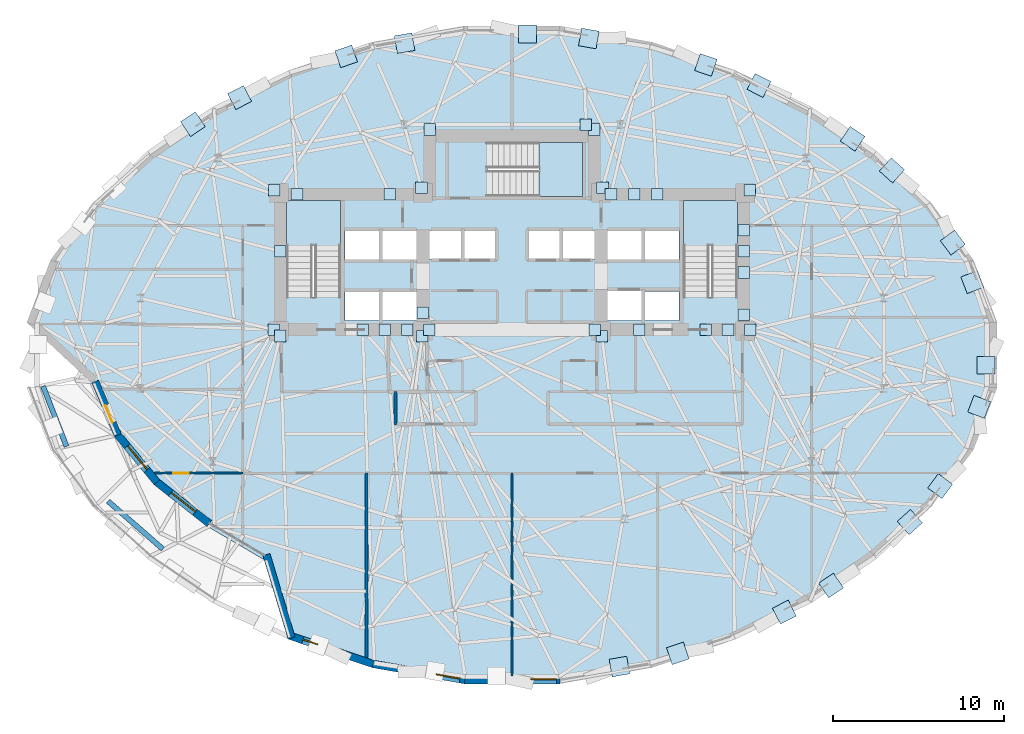
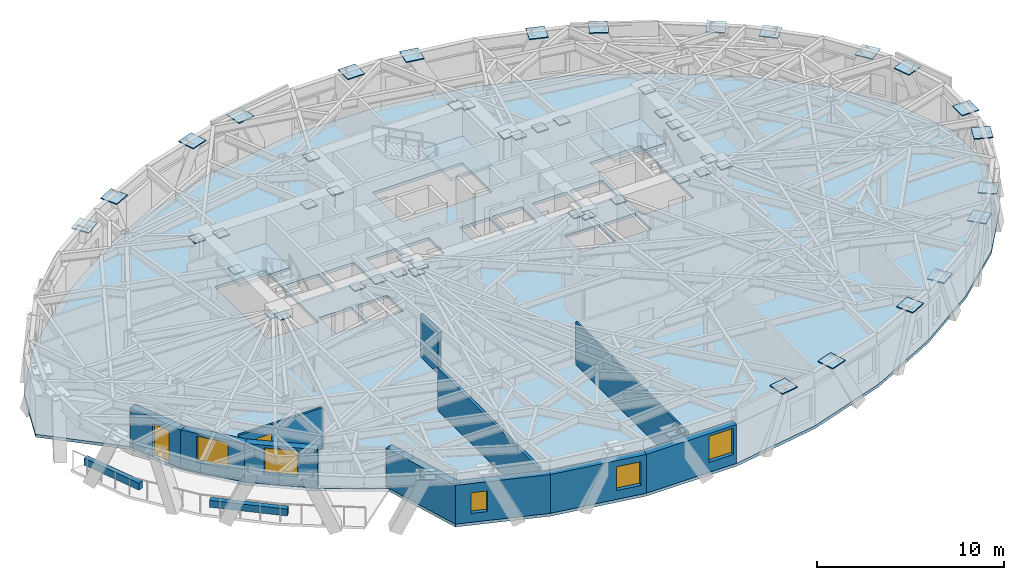
# One storey, part 8 of 17: 51 plates, 13 walls, 5 windows, 4 slabs, 2 doors, 7 openings, 3 elements without a shape of their own.
"""IFC4 building model written with IfcOpenShell, lengths in metres."""

from ifc_helpers import new_model, si_unit, direction, frame, frame_2d, origin, origin_2d, place, context, subcontext, project, spatial, polyline, rectangle, outline, extrude, material, layer, layer_set, type_object, element, fill, aggregate, save


model = new_model("IFC4")

# Units and contexts
model_context = context("Model", 3, precision=1e-05, world=origin(), true_north=direction((0.0, 1.0)))
body_context = subcontext(model_context, "Body", "Model", "MODEL_VIEW")
ifc_project = project(units=[si_unit("LENGTHUNIT", "METRE"), si_unit("AREAUNIT", "SQUARE_METRE"), si_unit("VOLUMEUNIT", "CUBIC_METRE"), si_unit("PLANEANGLEUNIT", "RADIAN"), si_unit("MASSUNIT", "GRAM", prefix="KILO")], contexts=[model_context])

# Site, building, storey
site_placement = place(None, origin())
site = spatial("IfcSite", under=ifc_project, at=site_placement, CompositionType="ELEMENT")
building_placement = place(site_placement, origin())
building = spatial("IfcBuilding", under=site, at=building_placement, Name="Keldmark Tower", CompositionType="ELEMENT")
storey_placement = place(building_placement, frame((0.0, 0.0, 96.60009765625)))
storey = spatial("IfcBuildingStorey", under=building, at=storey_placement, Name="L25", CompositionType="ELEMENT", Elevation=96.60009765625)

# Plates
ifc_material_1 = material(Name="Steel ASTM A572 Grade 50", Category="steel")
ifc_layer_1 = layer(ifc_material_1, 0.06005859375)
ifc_layer_set_1 = layer_set([ifc_layer_1], Name="Steel ASTM A572 Grade 50")
plate_type_1 = type_object("IfcPlateType", Name="Belt Truss Kink Node Assembly KN01 60 mm", PredefinedType="USERDEFINED", material=ifc_layer_set_1)
for number, where, z_axis, x_axis, name in (
    (1, (13.91162109375, 1.473388671875, 3.0078125), (0.0, 0.0, 1.0), (1.0, 0.0, 0.0), "L25 Core Wall Cast-In Embed Plate 684"),
    (2, (13.878173828125, 9.608154296875, 3.0078125), (0.0, 0.0, 1.0), (1.0, 0.0, 0.0), "L25 Core Wall Cast-In Embed Plate 685"),
    (3, (5.28515625, 9.758544921875, 3.0078125), (0.0, 0.0, 1.0), (1.0, 0.0, 0.0), "L25 Core Wall Cast-In Embed Plate 686"),
    (4, (-5.28515625, 9.758544921875, 3.0078125), (0.0, 0.0, 1.0), (1.0, 0.0, 0.0), "L25 Core Wall Cast-In Embed Plate 687"),
    (5, (-13.878173828125, 9.608154296875, 3.0078125), (0.0, 0.0, 1.0), (1.0, 0.0, 0.0), "L25 Core Wall Cast-In Embed Plate 688"),
    (6, (-13.91162109375, 1.473388671875, 3.0078125), (0.0, 0.0, 1.0), (1.0, 0.0, 0.0), "L25 Core Wall Cast-In Embed Plate 689"),
    (7, (-5.24072265625, 1.08251953125, 3.0078125), (0.0, 0.0, 1.0), (1.0, 0.0, 0.0), "L25 Core Wall Cast-In Embed Plate 690"),
    (8, (5.24072265625, 1.08251953125, 3.0078125), (0.0, 0.0, 1.0), (1.0, 0.0, 0.0), "L25 Core Wall Cast-In Embed Plate 691"),
    (9, (4.800048828125, 13.14990234375, 3.01416015625), (0.0, 0.0, 1.0), (1.0, 0.0, 0.0), "L25 Core Wall Cast-In Embed Plate 692"),
    (10, (-7.132080078125, 9.375, 3.01416015625), (0.0, 0.0, 1.0), (1.0, 0.0, 0.0), "L25 Core Wall Cast-In Embed Plate 693"),
    (11, (-4.800048828125, 13.14990234375, 3.01416015625), (0.0, 0.0, 1.0), (1.0, 0.0, 0.0), "L25 Core Wall Cast-In Embed Plate 694"),
    (12, (-7.41796875, 1.47509765625, 3.01416015625), (0.0, 0.0, 1.0), (1.0, 0.0, 0.0), "L25 Core Wall Cast-In Embed Plate 695"),
    (13, (12.603515625, 1.47509765625, 3.01416015625), (0.0, 0.0, 1.0), (1.0, 0.0, 0.0), "L25 Core Wall Cast-In Embed Plate 696"),
    (14, (13.52490234375, 4.80712890625, 3.01416015625), (0.0, 0.0, 1.0), (1.0, 0.0, 0.0), "L25 Core Wall Cast-In Embed Plate 697"),
    (15, (13.52490234375, 7.278564453125, 3.01416015625), (0.0, 0.0, 1.0), (1.0, 0.0, 0.0), "L25 Core Wall Cast-In Embed Plate 698"),
    (16, (5.778564453125, 9.375, 3.01416015625), (0.0, 0.0, 1.0), (1.0, 0.0, 0.0), "L25 Core Wall Cast-In Embed Plate 699"),
    (17, (8.485595703125, 9.375, 3.01416015625), (0.0, 0.0, 1.0), (1.0, 0.0, 0.0), "L25 Core Wall Cast-In Embed Plate 700"),
    (18, (-12.54638671875, 9.375, 3.01416015625), (0.0, 0.0, 1.0), (1.0, 0.0, 0.0), "L25 Core Wall Cast-In Embed Plate 701"),
    (19, (-13.52490234375, 6.04296875, 3.01416015625), (0.0, 0.0, 1.0), (1.0, 0.0, 0.0), "L25 Core Wall Cast-In Embed Plate 702"),
    (20, (-13.52490234375, 1.10009765625, 3.01416015625), (0.0, 0.0, 1.0), (1.0, 0.0, 0.0), "L25 Core Wall Cast-In Embed Plate 703"),
    (21, (4.824951171875, 1.47509765625, 3.01416015625), (0.0, 0.0, 1.0), (1.0, 0.0, 0.0), "L25 Core Wall Cast-In Embed Plate 704"),
    (22, (-8.71435546875, 1.47509765625, 3.01416015625), (0.0, 0.0, 1.0), (1.0, 0.0, 0.0), "L25 Core Wall Cast-In Embed Plate 705"),
    (23, (-6.121337890625, 1.47509765625, 3.01416015625), (0.0, 0.0, 1.0), (1.0, 0.0, 0.0), "L25 Core Wall Cast-In Embed Plate 706"),
    (24, (7.41796875, 1.47509765625, 3.01416015625), (0.0, 0.0, 1.0), (1.0, 0.0, 0.0), "L25 Core Wall Cast-In Embed Plate 707"),
    (25, (-5.199951171875, 2.449951171875, 3.01416015625), (0.0, 0.0, 1.0), (1.0, 0.0, 0.0), "L25 Core Wall Cast-In Embed Plate 708"),
    (26, (11.30712890625, 1.47509765625, 3.01416015625), (0.0, 0.0, 1.0), (1.0, 0.0, 0.0), "L25 Core Wall Cast-In Embed Plate 709"),
    (27, (-4.824951171875, 1.47509765625, 3.01416015625), (0.0, 0.0, 1.0), (1.0, 0.0, 0.0), "L25 Core Wall Cast-In Embed Plate 710"),
    (28, (13.52490234375, 2.335693359375, 3.01416015625), (0.0, 0.0, 1.0), (1.0, 0.0, 0.0), "L25 Core Wall Cast-In Embed Plate 711"),
    (29, (13.52490234375, 6.04296875, 3.01416015625), (0.0, 0.0, 1.0), (1.0, 0.0, 0.0), "L25 Core Wall Cast-In Embed Plate 712"),
    (30, (4.311279296875, 13.4326171875, 3.01416015625), (0.0, 0.0, 1.0), (1.0, 0.0, 0.0), "L25 Core Wall Cast-In Embed Plate 713"),
    (31, (7.132080078125, 9.375, 3.01416015625), (0.0, 0.0, 1.0), (1.0, 0.0, 0.0), "L25 Core Wall Cast-In Embed Plate 714"),
):
    element("IfcPlate", number, at=place(storey_placement, frame(where, z_axis=z_axis, x_axis=x_axis)), inside=storey, type_object=plate_type_1, Name=name, ObjectType="CAP PLATE", PredefinedType="USERDEFINED", context=body_context, shape_type="SweptSolid", body=[
        extrude(rectangle(XDim=0.679931640625, YDim=0.679931640625, at=origin_2d()), origin(), (0.0, 0.0, 1.0), 0.054931640625),
    ])
ifc_material_2 = material(Name="Steel ASTM A572 Grade 50", Category="steel")
ifc_layer_2 = layer(ifc_material_2, 0.06494140625)
ifc_layer_set_2 = layer_set([ifc_layer_2], Name="Steel ASTM A572 Grade 50")
plate_type_2 = type_object("IfcPlateType", Name="Diagrid Node Assembly DN02 65 mm", PredefinedType="USERDEFINED", material=ifc_layer_set_2)
for number, where, z_axis, x_axis, name in (
    (32, (26.860595703125, 4.2470703125, 3.157470703125), (0.0, 0.0, 1.0), (-0.355433256487, 0.934701663732, 0.0), "L25 Diagrid Node Assembly 01"),
    (33, (25.721923828125, 6.552734375, 3.157470703125), (0.0, 0.0, 1.0), (-0.594822786751, 0.803856860617, 0.0), "L25 Diagrid Node Assembly 02"),
    (34, (22.171142578125, 10.764892578125, 3.157470703125), (0.0, 0.0, 1.0), (-0.743845129807, 0.668352020168, 0.0), "L25 Diagrid Node Assembly 03"),
    (35, (19.876708984375, 12.60888671875, 3.157470703125), (0.0, 0.0, 1.0), (-0.827766671236, 0.56107248907, 0.0), "L25 Diagrid Node Assembly 04"),
    (36, (14.4150390625, 15.720458984375, 3.157470703125), (0.0, 0.0, 1.0), (-0.890292298637, 0.455389528851, 0.0), "L25 Diagrid Node Assembly 05"),
    (37, (11.31005859375, 16.9189453125, 3.157470703125), (0.0, 0.0, 1.0), (-0.946761694389, 0.321935232675, 0.0), "L25 Diagrid Node Assembly 06"),
    (38, (4.484375, 18.46142578125, 3.157470703125), (0.0, 0.0, 1.0), (-0.985079303862, 0.172101031672, 0.0), "L25 Diagrid Node Assembly 07"),
    (39, (0.904052734375, 18.728759765625, 3.157470703125), (0.0, 0.0, 1.0), (-1.0, 0.0, 0.0), "L25 Diagrid Node Assembly 08"),
    (40, (-6.267822265625, 18.189453125, 3.157470703125), (0.0, 0.0, 1.0), (-0.985079303862, -0.172101031672, 0.0), "L25 Diagrid Node Assembly 09"),
    (41, (-9.674560546875, 17.41845703125, 3.157470703125), (0.0, 0.0, 1.0), (-0.946761694389, -0.321935232675, 0.0), "L25 Diagrid Node Assembly 10"),
    (42, (-15.893310546875, 15.0126953125, 3.157470703125), (0.0, 0.0, 1.0), (-0.890292298637, -0.455389528851, 0.0), "L25 Diagrid Node Assembly 11"),
    (43, (-18.618408203125, 13.459228515625, 3.157470703125), (0.0, 0.0, 1.0), (-0.827766671236, -0.56107248907, 0.0), "L25 Diagrid Node Assembly 12"),
    (44, (6.267822265625, -18.189453125, 3.157470703125), (0.0, 0.0, 1.0), (0.985079303862, 0.172101031672, 0.0), "L25 Diagrid Node Assembly 25"),
    (45, (9.674560546875, -17.41845703125, 3.157470703125), (0.0, 0.0, 1.0), (0.946761694389, 0.321935232675, 0.0), "L25 Diagrid Node Assembly 26"),
    (46, (15.893310546875, -15.0126953125, 3.157470703125), (0.0, 0.0, 1.0), (0.890292298637, 0.455389528851, 0.0), "L25 Diagrid Node Assembly 27"),
    (47, (18.618408203125, -13.459228515625, 3.157470703125), (0.0, 0.0, 1.0), (0.827766671236, 0.56107248907, 0.0), "L25 Diagrid Node Assembly 28"),
    (48, (23.212158203125, -9.759765625, 3.157470703125), (0.0, 0.0, 1.0), (0.743845129807, 0.668352020168, 0.0), "L25 Diagrid Node Assembly 29"),
    (49, (24.9833984375, -7.657958984375, 3.157470703125), (0.0, 0.0, 1.0), (0.594822786751, 0.803856860617, 0.0), "L25 Diagrid Node Assembly 30"),
    (50, (27.260498046875, -3.0341796875, 3.157470703125), (0.0, 0.0, 1.0), (0.355433256487, 0.934701663732, 0.0), "L25 Diagrid Node Assembly 31"),
    (51, (27.656005859375, -0.61083984375, 3.157470703125), (0.0, 0.0, 1.0), (0.0, 1.0, 0.0), "L25 Diagrid Node Assembly 32"),
):
    element("IfcPlate", number, at=place(storey_placement, frame(where, z_axis=z_axis, x_axis=x_axis)), inside=storey, type_object=plate_type_2, Name=name, ObjectType="GUSSET", PredefinedType="USERDEFINED", context=body_context, shape_type="SweptSolid", body=[
        extrude(rectangle(XDim=1.0400390625, YDim=1.0400390625, at=origin_2d()), origin(), (0.0, 0.0, 1.0), 0.06494140625),
    ])

# Slab
ifc_material_3 = material(Name="Concrete C35/45", Category="concrete")
ifc_layer_3 = layer(ifc_material_3, 0.18994140625)
ifc_layer_set_3 = layer_set([ifc_layer_3], Name="Concrete C35/45")
slab_type_1 = type_object("IfcSlabType", Name="Mid-Rise Office Composite Slab 190 mm", PredefinedType="FLOOR", material=ifc_layer_set_3)
slab_1_placement = place(storey_placement, frame((0.0, 0.0, -0.190185546875)))
element("IfcSlab", 52, at=slab_1_placement, inside=storey, type_object=slab_type_1, Name="L25 Composite Structural Floor Slab", PredefinedType="FLOOR", context=body_context, shape_type="SweptSolid", body=[
    extrude(outline(polyline([(28.312744140625, 1.890380859375), (26.926025390625, 5.53662109375), (24.4638671875, 8.864013671875), (21.20166015625, 11.794677734375), (17.399658203125, 14.371826171875), (13.076171875, 16.583251953125), (8.16796875, 18.252197265625), (2.78857421875, 19.192138671875), (-2.78857421875, 19.192138671875), (-8.16796875, 18.252197265625), (-13.076171875, 16.583251953125), (-17.399658203125, 14.371826171875), (-21.20166015625, 11.794677734375), (-24.4638671875, 8.864013671875), (-26.926025390625, 5.53662109375), (-28.312744140625, 1.890380859375), (-24.52099609375, -1.63720703125), (-23.2041015625, -4.771240234375), (-20.89111328125, -7.5693359375), (-17.880859375, -9.947265625), (-14.469970703125, -11.951904296875), (-13.076171875, -16.583251953125), (-8.16796875, -18.252197265625), (-2.78857421875, -19.192138671875), (2.78857421875, -19.192138671875), (8.16796875, -18.252197265625), (13.076171875, -16.583251953125), (17.399658203125, -14.371826171875), (21.20166015625, -11.794677734375), (24.4638671875, -8.864013671875), (26.926025390625, -5.53662109375), (28.312744140625, -1.890380859375), (28.312744140625, 1.890380859375)]), holes=[polyline([(-10.0, 3.385009765625), (-10.0, 9.0), (-13.14990234375, 9.0), (-13.14990234375, 3.385009765625), (-10.0, 3.385009765625)]), polyline([(13.14990234375, 3.385009765625), (13.14990234375, 9.0), (10.0, 9.0), (10.0, 3.385009765625), (13.14990234375, 3.385009765625)]), polyline([(-1.43994140625, 9.25), (4.10498046875, 9.25), (4.10498046875, 12.39990234375), (-1.43994140625, 12.39990234375), (-1.43994140625, 9.25)]), polyline([(-9.75, 2.0), (-7.75, 2.0), (-7.75, 3.699951171875), (-9.75, 3.699951171875), (-9.75, 2.0)]), polyline([(7.75, 2.0), (9.75, 2.0), (9.75, 3.699951171875), (7.75, 3.699951171875), (7.75, 2.0)]), polyline([(5.449951171875, 2.0), (7.550048828125, 2.0), (7.550048828125, 3.75), (5.449951171875, 3.75), (5.449951171875, 2.0)]), polyline([(-4.800048828125, 5.60009765625), (-2.949951171875, 5.60009765625), (-2.949951171875, 7.25), (-4.800048828125, 7.25), (-4.800048828125, 5.60009765625)]), polyline([(-2.800048828125, 5.60009765625), (-0.949951171875, 5.60009765625), (-0.949951171875, 7.25), (-2.800048828125, 7.25), (-2.800048828125, 5.60009765625)]), polyline([(0.949951171875, 5.60009765625), (2.800048828125, 5.60009765625), (2.800048828125, 7.25), (0.949951171875, 7.25), (0.949951171875, 5.60009765625)]), polyline([(2.949951171875, 5.60009765625), (4.800048828125, 5.60009765625), (4.800048828125, 7.25), (2.949951171875, 7.25), (2.949951171875, 5.60009765625)]), polyline([(-9.75, 5.550048828125), (-7.75, 5.550048828125), (-7.75, 7.25), (-9.75, 7.25), (-9.75, 5.550048828125)]), polyline([(-7.550048828125, 5.550048828125), (-5.550048828125, 5.550048828125), (-5.550048828125, 7.25), (-7.550048828125, 7.25), (-7.550048828125, 5.550048828125)]), polyline([(-7.550048828125, 2.0), (-5.550048828125, 2.0), (-5.550048828125, 3.699951171875), (-7.550048828125, 3.699951171875), (-7.550048828125, 2.0)]), polyline([(5.449951171875, 5.550048828125), (7.550048828125, 5.550048828125), (7.550048828125, 7.25), (5.449951171875, 7.25), (5.449951171875, 5.550048828125)]), polyline([(7.75, 5.550048828125), (9.75, 5.550048828125), (9.75, 7.25), (7.75, 7.25), (7.75, 5.550048828125)])]), origin(), (0.0, 0.0, 1.0), 0.190185546875),
])

# Stair, slab
ifc_material_4 = material(Name="Concrete C40/50", Category="concrete")
stair_type = type_object("IfcStairType", Name="Precast Concrete Core Exit Stair", PredefinedType="HALF_TURN_STAIR", material=ifc_material_4)
stair_1_placement = place(storey_placement, origin())
stair_1 = element("IfcStair", 53, at=stair_1_placement, inside=storey, type_object=stair_type, Name="L25 Exit Stair ST1", PredefinedType="HALF_TURN_STAIR")
ifc_material_5 = material(Name="Concrete C40/50", Category="concrete")
ifc_layer_4 = layer(ifc_material_5, 0.199951171875)
ifc_layer_set_4 = layer_set([ifc_layer_4], Name="Concrete C40/50")
slab_type_2 = type_object("IfcSlabType", Name="Reinforced Concrete Stair Landing 200 mm", PredefinedType="LANDING", material=ifc_layer_set_4)
slab_2_placement = place(storey_placement, frame((0.0, 0.0, 1.5498046875)))
slab_2 = element("IfcSlab", 54, at=slab_2_placement, type_object=slab_type_2, Name="ST1 landing 1", PredefinedType="LANDING", context=body_context, shape_type="SweptSolid", body=[
    extrude(outline(polyline([(-10.0, 6.389892578125), (-10.0, 9.0), (-13.14990234375, 9.0), (-13.14990234375, 6.389892578125), (-10.0, 6.389892578125)])), origin(), (0.0, 0.0, 1.0), 0.2001953125),
])
aggregate(stair_1, [slab_2])

stair_2_placement = place(storey_placement, origin())
stair_2 = element("IfcStair", 55, at=stair_2_placement, inside=storey, type_object=stair_type, Name="L25 Exit Stair ST2", PredefinedType="HALF_TURN_STAIR")
slab_3_placement = place(storey_placement, frame((0.0, 0.0, 1.5498046875)))
slab_3 = element("IfcSlab", 56, at=slab_3_placement, type_object=slab_type_2, Name="ST2 landing 1", PredefinedType="LANDING", context=body_context, shape_type="SweptSolid", body=[
    extrude(outline(polyline([(13.14990234375, 6.389892578125), (13.14990234375, 9.0), (10.0, 9.0), (10.0, 6.389892578125), (13.14990234375, 6.389892578125)])), origin(), (0.0, 0.0, 1.0), 0.2001953125),
])
aggregate(stair_2, [slab_3])

stair_3_placement = place(storey_placement, origin())
stair_3 = element("IfcStair", 57, at=stair_3_placement, inside=storey, type_object=stair_type, Name="L25 Exit Stair ST3", PredefinedType="HALF_TURN_STAIR")
slab_4_placement = place(storey_placement, frame((0.0, 0.0, 1.5498046875)))
slab_4 = element("IfcSlab", 58, at=slab_4_placement, type_object=slab_type_2, Name="ST3 landing 1", PredefinedType="LANDING", context=body_context, shape_type="SweptSolid", body=[
    extrude(outline(polyline([(1.56494140625, 9.25), (4.10498046875, 9.25), (4.10498046875, 12.39990234375), (1.56494140625, 12.39990234375), (1.56494140625, 9.25)])), origin(), (0.0, 0.0, 1.0), 0.2001953125),
])
aggregate(stair_3, [slab_4])

# Walls
ifc_material_6 = material(Name="STC-58 Insulated Tenant Demising Gypsum Partition", Category="gypsum")
ifc_layer_5 = layer(ifc_material_6, 0.175048828125)
ifc_layer_set_5 = layer_set([ifc_layer_5], Name="STC-58 Insulated Tenant Demising Gypsum Partition")
wall_type_1 = type_object("IfcWallType", Name="Demising Suite Partition 175 mm", PredefinedType="PARTITIONING", material=ifc_layer_set_5)
wall_1_placement = place(storey_placement, frame((-8.5, -17.666015625, 0.0), z_axis=(0.0, 0.0, 1.0), x_axis=(0.0, 1.0, 0.0)))
element("IfcWall", 59, at=wall_1_placement, inside=storey, type_object=wall_type_1, Name="L25 Demising Suite Partition 175 mm S-DIV-1", PredefinedType="PARTITIONING", context=body_context, shape_type="SweptSolid", body=[
    extrude(rectangle(XDim=10.76611328125, YDim=0.175048828125, at=frame_2d((5.383056640625, 0.0))), origin(), (0.0, 0.0, 1.0), 2.762939453125),
])
ifc_material_7 = material(Name="Heavy Acoustic Plumbing Chase Gypsum Assembly", Category="gypsum")
ifc_layer_6 = layer(ifc_material_7, 0.18994140625)
ifc_layer_set_6 = layer_set([ifc_layer_6], Name="Heavy Acoustic Plumbing Chase Gypsum Assembly")
wall_type_2 = type_object("IfcWallType", Name="Heavy Wet Wall 190 mm", PredefinedType="PLUMBINGWALL", material=ifc_layer_set_6)
wall_2_placement = place(storey_placement, frame((-6.800048828125, -4.050048828125, 0.0), z_axis=(0.0, 0.0, 1.0), x_axis=(0.0, 1.0, 0.0)))
element("IfcWall", 60, at=wall_2_placement, inside=storey, type_object=wall_type_2, Name="L25 Heavy Wet Wall 190 mm SPK-W-W", PredefinedType="PLUMBINGWALL", context=body_context, shape_type="SweptSolid", body=[
    extrude(rectangle(XDim=1.900146484375, YDim=0.18994140625, at=frame_2d((0.9501953125, 0.0))), origin(), (0.0, 0.0, 1.0), 2.762939453125),
])
ifc_material_8 = material(Name="Acoustic Gypsum Board Interior Partition", Category="gypsum")
ifc_layer_7 = layer(ifc_material_8, 0.1298828125)
ifc_layer_set_7 = layer_set([ifc_layer_7], Name="Acoustic Gypsum Board Interior Partition")
wall_type_3 = type_object("IfcWallType", Name="Interior Partition 130 mm", PredefinedType="PARTITIONING", material=ifc_layer_set_7)
wall_3_placement = place(storey_placement, frame((0.0, -18.744140625, 0.0), z_axis=(0.0, 0.0, 1.0), x_axis=(0.0, 1.0, 0.0)))
element("IfcWall", 61, at=wall_3_placement, inside=storey, type_object=wall_type_3, Name="L25 Interior Partition 130 mm S-DIV-2", PredefinedType="PARTITIONING", context=body_context, shape_type="SweptSolid", body=[
    extrude(rectangle(XDim=11.84423828125, YDim=0.1298828125, at=frame_2d((5.922119140625, 0.0))), origin(), (0.0, 0.0, 1.0), 2.762939453125),
])

# Wall, opening, door
wall_4_placement = place(storey_placement, frame((-20.86328125, -6.89990234375, 0.0), z_axis=(0.0, 0.0, 1.0), x_axis=(1.0, 0.0, 0.0)))
wall_4 = element("IfcWall", 62, at=wall_4_placement, inside=storey, type_object=wall_type_3, Name="L25 Interior Partition 130 mm W-CAP-S", PredefinedType="PARTITIONING", context=body_context, shape_type="SweptSolid", body=[
    extrude(rectangle(XDim=5.163330078125, YDim=0.1298828125, at=frame_2d((2.58154296875, 0.0))), origin(), (0.0, 0.0, 1.0), 2.68798828125),
])
opening_1_placement = place(wall_4_placement, frame((1.110107421875, 0.0, 0.0)))
opening_1 = element("IfcOpeningElement", 63, at=opening_1_placement, cuts=wall_4, Name="Opening D-IN090", PredefinedType="OPENING", context=body_context, shape_type="SweptSolid", body=[
    extrude(rectangle(XDim=0.89990234375, YDim=2.10009765625, at=frame_2d((0.449951171875, 1.050048828125))), frame((0.0, 0.074951171875, 0.0), z_axis=(0.0, -1.0, 0.0), x_axis=(1.0, 0.0, 0.0)), (0.0, 0.0, 1.0), 0.14990234375),
])
ifc_material_9 = material(Name="Stained American White Oak Veneer", Category="wood")
door_type_1 = type_object("IfcDoorType", Name="Interior Door 900x2100", OperationType="NOTDEFINED", PredefinedType="DOOR", material=ifc_material_9)
door_1_placement = place(opening_1_placement, origin())
door_1 = element("IfcDoor", 64, at=door_1_placement, inside=storey, type_object=door_type_1, Name="L25 Interior Door 900x2100 D-WRSW-L25", OperationType="SINGLE_SWING_LEFT", OverallHeight=2.10009765625, OverallWidth=0.89990234375, PredefinedType="DOOR", context=body_context, shape_type="SweptSolid", body=[
    extrude(rectangle(XDim=0.89990234375, YDim=2.10009765625, at=frame_2d((0.449951171875, 1.050048828125))), frame((0.0, 0.02490234375, 0.0), z_axis=(0.0, -1.0, 0.0), x_axis=(1.0, 0.0, 0.0)), (0.0, 0.0, 1.0), 0.050048828125),
])
fill(opening_1, door_1)

# Walls
ifc_material_10 = material(Name="Ironspot Manganese Brick Planter Masonry", Category="masonry")
ifc_layer_8 = layer(ifc_material_10, 0.300048828125)
ifc_layer_set_8 = layer_set([ifc_layer_8], Name="Ironspot Manganese Brick Planter Masonry")
wall_type_4 = type_object("IfcWallType", Name="Terrace Brick Planter Kerb Wall 300 mm", PredefinedType="PARAPET", material=ifc_layer_set_8)
wall_5_placement = place(storey_placement, frame((-27.36474609375, -1.826904296875, 0.0), z_axis=(0.0, 0.0, 1.0), x_axis=(0.362633483576, -0.931931841172, 0.0)))
element("IfcWall", 65, at=wall_5_placement, inside=storey, type_object=wall_type_4, Name="L25 Sky Garden Planter 01", PredefinedType="PARAPET", context=body_context, shape_type="SweptSolid", body=[
    extrude(rectangle(XDim=3.775634765625, YDim=0.300048828125, at=frame_2d((1.8876953125, 0.0))), origin(), (0.0, 0.0, 1.0), 0.449951171875),
])
wall_6_placement = place(storey_placement, frame((-23.57080078125, -8.540283203125, 0.0), z_axis=(0.0, 0.0, 1.0), x_axis=(0.753398765677, -0.657563913149, 0.0)))
element("IfcWall", 66, at=wall_6_placement, inside=storey, type_object=wall_type_4, Name="L25 Sky Garden Planter 03", PredefinedType="PARAPET", context=body_context, shape_type="SweptSolid", body=[
    extrude(rectangle(XDim=4.246826171875, YDim=0.300048828125, at=frame_2d((2.12353515625, 0.0))), origin(), (0.0, 0.0, 1.0), 0.449951171875),
])

# Wall, opening, door
ifc_material_11 = material(Name="Ironspot Manganese Brick and Kasota Buff Limestone Spandrel Assembly", Category="masonry")
ifc_layer_9 = layer(ifc_material_11, 0.43994140625)
ifc_layer_set_9 = layer_set([ifc_layer_9], Name="Ironspot Manganese Brick and Kasota Buff Limestone Spandrel Assembly")
wall_type_5 = type_object("IfcWallType", Name="Tower Brick Pier and Spandrel Wall 440 mm", PredefinedType="STANDARD", material=ifc_layer_set_9)
wall_7_placement = place(storey_placement, frame((-23.001220703125, -4.68603515625, 0.0), z_axis=(0.0, 0.0, 1.0), x_axis=(-0.387443695747, 0.92189336836, 0.0)))
wall_7 = element("IfcWall", 67, at=wall_7_placement, inside=storey, type_object=wall_type_5, Name="L25 Exterior Brick and Spandrel Wall 17", PredefinedType="STANDARD", context=body_context, shape_type="SweptSolid", body=[
    extrude(rectangle(XDim=3.399658203125, YDim=0.43994140625, at=frame_2d((1.69970703125, 0.0))), origin(), (0.0, 0.0, 1.0), 2.531982421875),
])
opening_2_placement = place(wall_7_placement, frame((0.787353515625, 0.0, 0.0)))
opening_2 = element("IfcOpeningElement", 68, at=opening_2_placement, cuts=wall_7, Name="Opening TD-01", PredefinedType="OPENING", context=body_context, shape_type="SweptSolid", body=[
    extrude(rectangle(XDim=1.10009765625, YDim=2.14990234375, at=frame_2d((0.550048828125, 1.074951171875))), frame((0.0, 0.22998046875, 0.0), z_axis=(0.0, -1.0, 0.0), x_axis=(1.0, 0.0, 0.0)), (0.0, 0.0, 1.0), 0.4599609375),
])
ifc_material_12 = material(Name="Thermally Broken Painted Aluminum and Laminated Safety Glass", Category="aluminium")
door_type_2 = type_object("IfcDoorType", Name="Sky Garden Terrace Glazed Door 1100x2150", OperationType="SINGLE_SWING_LEFT", PredefinedType="DOOR", material=ifc_material_12)
door_2_placement = place(opening_2_placement, origin())
door_2 = element("IfcDoor", 69, at=door_2_placement, inside=storey, type_object=door_type_2, Name="L25 Sky-Garden Terrace Door 17", OperationType="SINGLE_SWING_LEFT", OverallHeight=2.14990234375, OverallWidth=1.10009765625, PredefinedType="DOOR", context=body_context, shape_type="SweptSolid", body=[
    extrude(rectangle(XDim=1.10009765625, YDim=2.14990234375, at=frame_2d((0.550048828125, 1.074951171875))), frame((0.0, 0.02490234375, 0.0), z_axis=(0.0, -1.0, 0.0), x_axis=(1.0, 0.0, 0.0)), (0.0, 0.0, 1.0), 0.050048828125),
])
fill(opening_2, door_2)

# Wall, opening, window
wall_8_placement = place(storey_placement, frame((-20.7216796875, -7.42919921875, 0.0), z_axis=(0.0, 0.0, 1.0), x_axis=(-0.637089984316, 0.770789434207, 0.0)))
wall_8 = element("IfcWall", 70, at=wall_8_placement, inside=storey, type_object=wall_type_5, Name="L25 Exterior Brick and Spandrel Wall 18", PredefinedType="STANDARD", context=body_context, shape_type="SweptSolid", body=[
    extrude(rectangle(XDim=3.630126953125, YDim=0.43994140625, at=frame_2d((1.81494140625, 0.0))), origin(), (0.0, 0.0, 1.0), 2.531982421875),
])
opening_3_placement = place(wall_8_placement, frame((0.9150390625, 0.0, 0.64990234375)))
opening_3 = element("IfcOpeningElement", 71, at=opening_3_placement, cuts=wall_8, Name="Opening W-02", PredefinedType="OPENING", context=body_context, shape_type="SweptSolid", body=[
    extrude(rectangle(XDim=1.800048828125, YDim=1.699951171875, at=frame_2d((0.89990234375, 0.85009765625))), frame((0.0, 0.22998046875, 0.0), z_axis=(0.0, -1.0, 0.0), x_axis=(1.0, 0.0, 0.0)), (0.0, 0.0, 1.0), 0.4599609375),
])
ifc_material_13 = material(Name="Thermally Broken Anodized Aluminum and Triple Low-E Argon Glazing", Category="aluminium")
window_type_1 = type_object("IfcWindowType", Name="Office Deep-Set Triple Window 1800x1700", PartitioningType="TRIPLE_PANEL_VERTICAL", PredefinedType="WINDOW", material=ifc_material_13)
window_1_placement = place(opening_3_placement, origin())
window_1 = element("IfcWindow", 72, at=window_1_placement, inside=storey, type_object=window_type_1, Name="L25 Deep-Set Window 18", OverallHeight=1.699951171875, OverallWidth=1.800048828125, PartitioningType="SINGLE_PANEL", PredefinedType="WINDOW", context=body_context, shape_type="SweptSolid", body=[
    extrude(rectangle(XDim=1.800048828125, YDim=1.699951171875, at=frame_2d((0.89990234375, 0.85009765625))), frame((0.0, -0.010009765625, 0.0), z_axis=(0.0, -1.0, 0.0), x_axis=(1.0, 0.0, 0.0)), (0.0, 0.0, 1.0), 0.06005859375),
])
fill(opening_3, window_1)

wall_9_placement = place(storey_placement, frame((-17.658203125, -9.843017578125, 0.0), z_axis=(0.0, 0.0, 1.0), x_axis=(-0.784692700331, 0.619884961946, 0.0)))
wall_9 = element("IfcWall", 73, at=wall_9_placement, inside=storey, type_object=wall_type_5, Name="L25 Exterior Brick and Spandrel Wall 19", PredefinedType="STANDARD", context=body_context, shape_type="SweptSolid", body=[
    extrude(rectangle(XDim=3.9462890625, YDim=0.43994140625, at=frame_2d((1.97314453125, 0.0))), origin(), (0.0, 0.0, 1.0), 2.531982421875),
])
opening_4_placement = place(wall_9_placement, frame((1.072998046875, 0.0, 0.64990234375)))
opening_4 = element("IfcOpeningElement", 74, at=opening_4_placement, cuts=wall_9, Name="Opening W-02", PredefinedType="OPENING", context=body_context, shape_type="SweptSolid", body=[
    extrude(rectangle(XDim=1.800048828125, YDim=1.699951171875, at=frame_2d((0.89990234375, 0.85009765625))), frame((0.0, 0.22998046875, 0.0), z_axis=(0.0, -1.0, 0.0), x_axis=(1.0, 0.0, 0.0)), (0.0, 0.0, 1.0), 0.4599609375),
])
window_2_placement = place(opening_4_placement, origin())
window_2 = element("IfcWindow", 75, at=window_2_placement, inside=storey, type_object=window_type_1, Name="L25 Deep-Set Window 19", OverallHeight=1.699951171875, OverallWidth=1.800048828125, PartitioningType="SINGLE_PANEL", PredefinedType="WINDOW", context=body_context, shape_type="SweptSolid", body=[
    extrude(rectangle(XDim=1.800048828125, YDim=1.699951171875, at=frame_2d((0.89990234375, 0.85009765625))), frame((0.0, -0.010009765625, 0.0), z_axis=(0.0, -1.0, 0.0), x_axis=(1.0, 0.0, 0.0)), (0.0, 0.0, 1.0), 0.06005859375),
])
fill(opening_4, window_2)

# Wall
wall_10_placement = place(storey_placement, frame((-12.865478515625, -16.519775390625, 0.0), z_axis=(0.0, 0.0, 1.0), x_axis=(-0.288172032056, 0.957578654702, 0.0)))
element("IfcWall", 76, at=wall_10_placement, inside=storey, type_object=wall_type_5, Name="L25 Exterior Brick and Spandrel Wall 21", PredefinedType="STANDARD", context=body_context, shape_type="SweptSolid", body=[
    extrude(rectangle(XDim=5.08154296875, YDim=0.43994140625, at=frame_2d((2.540771484375, 0.0))), origin(), (0.0, 0.0, 1.0), 2.531982421875),
])

# Wall, opening, window
wall_11_placement = place(storey_placement, frame((-8.09716796875, -18.0439453125, 0.0), z_axis=(0.0, 0.0, 1.0), x_axis=(-0.946763558794, 0.321929749697, 0.0)))
wall_11 = element("IfcWall", 77, at=wall_11_placement, inside=storey, type_object=wall_type_5, Name="L25 Exterior Brick and Spandrel Wall 22", PredefinedType="STANDARD", context=body_context, shape_type="SweptSolid", body=[
    extrude(rectangle(XDim=5.18408203125, YDim=0.43994140625, at=frame_2d((2.592041015625, 0.0))), origin(), (0.0, 0.0, 1.0), 2.52783203125),
])
opening_5_placement = place(wall_11_placement, frame((3.43701171875, 0.0, 0.580078125)))
opening_5 = element("IfcOpeningElement", 78, at=opening_5_placement, cuts=wall_11, Name="Opening W-09", PredefinedType="OPENING", context=body_context, shape_type="SweptSolid", body=[
    extrude(rectangle(XDim=0.89990234375, YDim=1.35009765625, at=frame_2d((0.449951171875, 0.675048828125))), frame((0.0, 0.22998046875, 0.0), z_axis=(0.0, -1.0, 0.0), x_axis=(1.0, 0.0, 0.0)), (0.0, 0.0, 1.0), 0.4599609375),
])
ifc_material_14 = material(Name="Thermally Broken Anodized Aluminum and Triple Low-E Argon Glazing", Category="aluminium")
window_type_2 = type_object("IfcWindowType", Name="Corner Pier Deep-Set Window 900x1350", PartitioningType="SINGLE_PANEL", PredefinedType="WINDOW", material=ifc_material_14)
window_3_placement = place(opening_5_placement, origin())
window_3 = element("IfcWindow", 79, at=window_3_placement, inside=storey, type_object=window_type_2, Name="L25 Deep-Set Window 22", OverallHeight=1.35009765625, OverallWidth=0.89990234375, PartitioningType="SINGLE_PANEL", PredefinedType="WINDOW", context=body_context, shape_type="SweptSolid", body=[
    extrude(rectangle(XDim=0.89990234375, YDim=1.35009765625, at=frame_2d((0.449951171875, 0.675048828125))), frame((0.0, -0.010009765625, 0.0), z_axis=(0.0, -1.0, 0.0), x_axis=(1.0, 0.0, 0.0)), (0.0, 0.0, 1.0), 0.06005859375),
])
fill(opening_5, window_3)

wall_12_placement = place(storey_placement, frame((-2.750732421875, -18.975341796875, 0.0), z_axis=(0.0, 0.0, 1.0), x_axis=(-0.985074276728, 0.172129803722, 0.0)))
wall_12 = element("IfcWall", 80, at=wall_12_placement, inside=storey, type_object=wall_type_5, Name="L25 Exterior Brick and Spandrel Wall 23", PredefinedType="STANDARD", context=body_context, shape_type="SweptSolid", body=[
    extrude(rectangle(XDim=5.460693359375, YDim=0.43994140625, at=frame_2d((2.73046875, 0.0))), origin(), (0.0, 0.0, 1.0), 2.52783203125),
])
opening_6_placement = place(wall_12_placement, frame((0.298828125, 0.0, 0.580078125)))
opening_6 = element("IfcOpeningElement", 81, at=opening_6_placement, cuts=wall_12, Name="Opening W-08", PredefinedType="OPENING", context=body_context, shape_type="SweptSolid", body=[
    extrude(rectangle(XDim=1.39990234375, YDim=1.550048828125, at=frame_2d((0.699951171875, 0.77490234375))), frame((0.0, 0.22998046875, 0.0), z_axis=(0.0, -1.0, 0.0), x_axis=(1.0, 0.0, 0.0)), (0.0, 0.0, 1.0), 0.4599609375),
])
ifc_material_15 = material(Name="Thermally Broken Anodized Aluminum and Triple Low-E Argon Glazing", Category="aluminium")
window_type_3 = type_object("IfcWindowType", Name="Residential Corner Punched Window 1400x1550", PartitioningType="SINGLE_PANEL", PredefinedType="WINDOW", material=ifc_material_15)
window_4_placement = place(opening_6_placement, origin())
window_4 = element("IfcWindow", 82, at=window_4_placement, inside=storey, type_object=window_type_3, Name="L25 Deep-Set Window 23", OverallHeight=1.550048828125, OverallWidth=1.39990234375, PartitioningType="SINGLE_PANEL", PredefinedType="WINDOW", context=body_context, shape_type="SweptSolid", body=[
    extrude(rectangle(XDim=1.39990234375, YDim=1.550048828125, at=frame_2d((0.699951171875, 0.77490234375))), frame((0.0, -0.010009765625, 0.0), z_axis=(0.0, -1.0, 0.0), x_axis=(1.0, 0.0, 0.0)), (0.0, 0.0, 1.0), 0.06005859375),
])
fill(opening_6, window_4)

wall_13_placement = place(storey_placement, frame((2.78857421875, -18.97216796875, 0.0), z_axis=(0.0, 0.0, 1.0), x_axis=(-1.0, 0.0, 0.0)))
wall_13 = element("IfcWall", 83, at=wall_13_placement, inside=storey, type_object=wall_type_5, Name="L25 Exterior Brick and Spandrel Wall 24", PredefinedType="STANDARD", context=body_context, shape_type="SweptSolid", body=[
    extrude(rectangle(XDim=5.5771484375, YDim=0.43994140625, at=frame_2d((2.78857421875, 0.0))), origin(), (0.0, 0.0, 1.0), 2.52783203125),
])
opening_7_placement = place(wall_13_placement, frame((0.199951171875, 0.0, 0.64990234375)))
opening_7 = element("IfcOpeningElement", 84, at=opening_7_placement, cuts=wall_13, Name="Opening W-03", PredefinedType="OPENING", context=body_context, shape_type="SweptSolid", body=[
    extrude(rectangle(XDim=1.5, YDim=1.699951171875, at=frame_2d((0.75, 0.85009765625))), frame((0.0, 0.22998046875, 0.0), z_axis=(0.0, -1.0, 0.0), x_axis=(1.0, 0.0, 0.0)), (0.0, 0.0, 1.0), 0.4599609375),
])
ifc_material_16 = material(Name="Thermally Broken Anodized Aluminum and Triple Low-E Argon Glazing", Category="aluminium")
window_type_4 = type_object("IfcWindowType", Name="Office Corner Deep-Set Window 1500x1700", PartitioningType="DOUBLE_PANEL_VERTICAL", PredefinedType="WINDOW", material=ifc_material_16)
window_5_placement = place(opening_7_placement, origin())
window_5 = element("IfcWindow", 85, at=window_5_placement, inside=storey, type_object=window_type_4, Name="L25 Deep-Set Window 24", OverallHeight=1.699951171875, OverallWidth=1.5, PartitioningType="SINGLE_PANEL", PredefinedType="WINDOW", context=body_context, shape_type="SweptSolid", body=[
    extrude(rectangle(XDim=1.5, YDim=1.699951171875, at=frame_2d((0.75, 0.85009765625))), frame((0.0, -0.010009765625, 0.0), z_axis=(0.0, -1.0, 0.0), x_axis=(1.0, 0.0, 0.0)), (0.0, 0.0, 1.0), 0.06005859375),
])
fill(opening_7, window_5)

save(model, "model.ifc")
